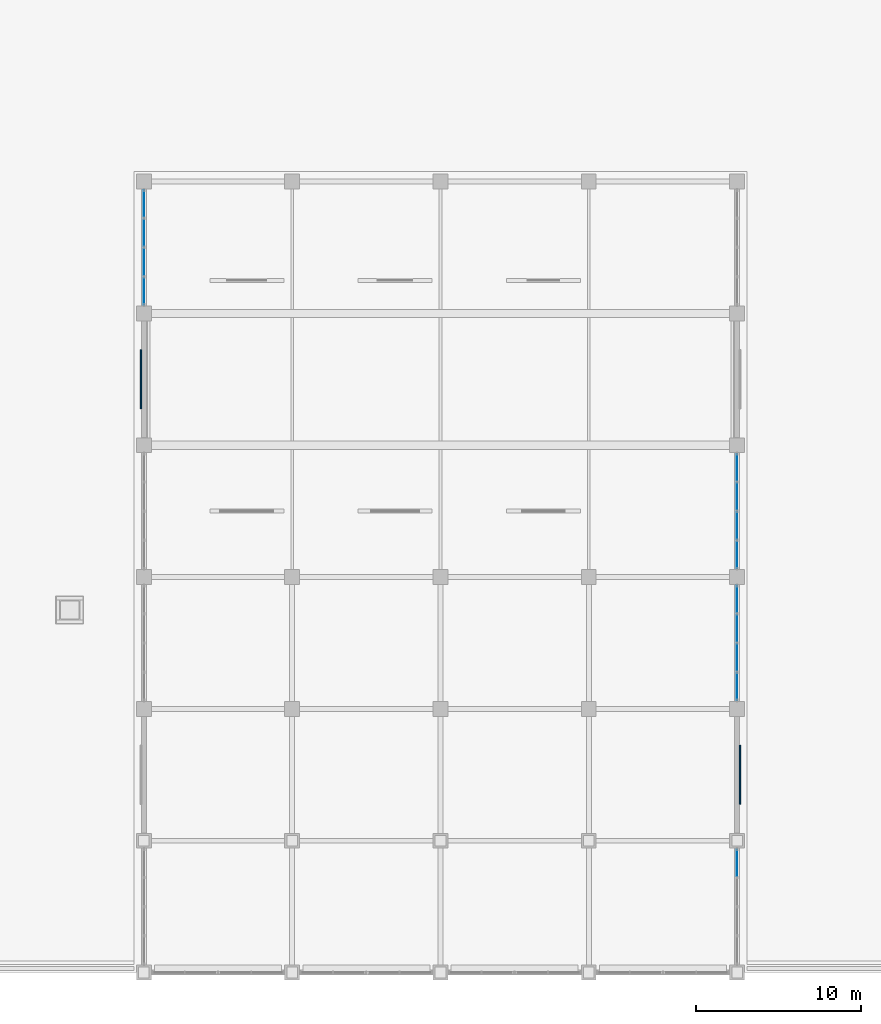
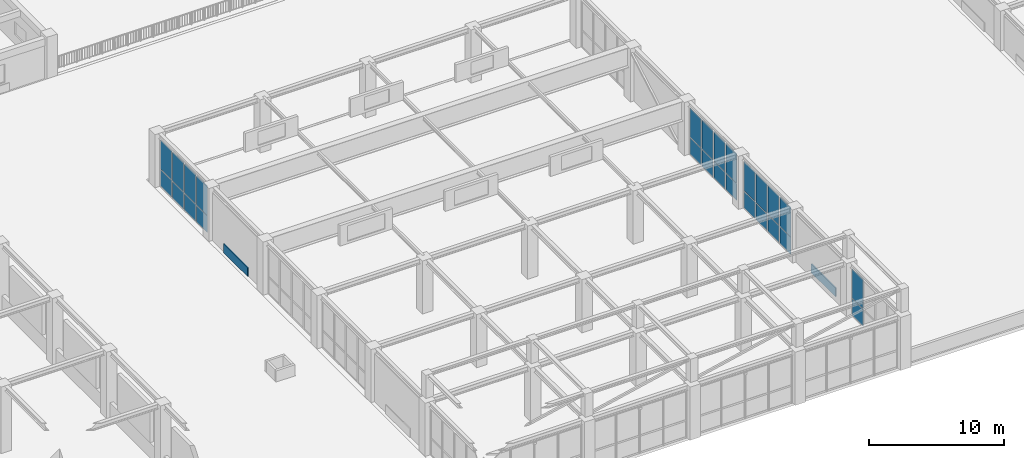
# One storey, part 14 of 34: 28 plates, 4 elements without a shape of their own.
"""IFC4 building model written with IfcOpenShell, lengths in metres."""

from ifc_helpers import new_model, si_unit, direction, frame, frame_2d, origin, place, context, subcontext, project, spatial, rectangle, extrude, material, layer, layer_set, type_object, element, aggregate, save


model = new_model("IFC4")

# Units and contexts
model_context = context("Model", 3, precision=1e-05, world=origin(), true_north=direction((0.0, 1.0)))
body_context = subcontext(model_context, "Body", "Model", "MODEL_VIEW")
ifc_project = project(units=[si_unit("LENGTHUNIT", "METRE"), si_unit("AREAUNIT", "SQUARE_METRE"), si_unit("VOLUMEUNIT", "CUBIC_METRE"), si_unit("PLANEANGLEUNIT", "RADIAN"), si_unit("MASSUNIT", "GRAM", prefix="KILO")], contexts=[model_context])

# Site, building, storey
site_placement = place(None, origin())
site = spatial("IfcSite", under=ifc_project, at=site_placement, CompositionType="ELEMENT")
building_placement = place(site_placement, origin())
building = spatial("IfcBuilding", under=site, at=building_placement, Name="Zaverband Oceanarium and Marine Research Institute", CompositionType="ELEMENT")
storey_placement = place(building_placement, frame((0.0, 0.0, 18.0)))
storey = spatial("IfcBuildingStorey", under=building, at=storey_placement, Name="L04", CompositionType="ELEMENT", Elevation=18.0)

# Curtain wall, plates
ifc_material_1 = material(Name="Thermally broken anodized aluminium and solar-control glass", Category="aluminium")
curtain_wall_type = type_object("IfcCurtainWallType", Name="CW-UNIT-1800", PredefinedType="NOTDEFINED", material=ifc_material_1)
curtain_wall_1_placement = place(storey_placement, origin())
curtain_wall_1 = element("IfcCurtainWall", 1, at=curtain_wall_1_placement, inside=storey, type_object=curtain_wall_type, Name="Unitised glazed curtain wall CW-190", PredefinedType="NOTDEFINED")
ifc_material_2 = material(Name="Low-E double-glazed solar-control glass", Category="glass")
ifc_layer_1 = layer(ifc_material_2, 0.033935546875, Name="Low-E double-glazed solar-control glass")
ifc_layer_set_1 = layer_set([ifc_layer_1], Name="Low-E double-glazed solar-control glass")
plate_type_1 = type_object("IfcPlateType", Name="CWP-1610x1505", PredefinedType="CURTAIN_PANEL", material=ifc_layer_set_1)
plate_1_placement = place(storey_placement, frame((72.0, 40.5400390625, 0.050048828125), z_axis=(0.0, 0.0, 1.0), x_axis=(0.0, 1.0, 0.0)))
plate_1 = element("IfcPlate", 2, at=plate_1_placement, type_object=plate_type_1, Name="Glazed curtain wall panel CWP-1610x1505", PredefinedType="CURTAIN_PANEL", context=body_context, shape_type="SweptSolid", body=[
    extrude(rectangle(XDim=1.60986328125, YDim=0.033935546875, at=frame_2d((0.804931640625, 0.0))), origin(), (0.0, 0.0, 1.0), 1.5048828125),
])
plate_2_placement = place(storey_placement, frame((72.0, 42.31005859375, 0.050048828125), z_axis=(0.0, 0.0, 1.0), x_axis=(0.0, 1.0, 0.0)))
plate_2 = element("IfcPlate", 3, at=plate_2_placement, type_object=plate_type_1, Name="Glazed curtain wall panel CWP-1610x1505", PredefinedType="CURTAIN_PANEL", context=body_context, shape_type="SweptSolid", body=[
    extrude(rectangle(XDim=1.60986328125, YDim=0.033935546875, at=frame_2d((0.804931640625, 0.0))), origin(), (0.0, 0.0, 1.0), 1.5048828125),
])
plate_3_placement = place(storey_placement, frame((72.0, 44.080078125, 0.050048828125), z_axis=(0.0, 0.0, 1.0), x_axis=(0.0, 1.0, 0.0)))
plate_3 = element("IfcPlate", 4, at=plate_3_placement, type_object=plate_type_1, Name="Glazed curtain wall panel CWP-1610x1505", PredefinedType="CURTAIN_PANEL", context=body_context, shape_type="SweptSolid", body=[
    extrude(rectangle(XDim=1.60986328125, YDim=0.033935546875, at=frame_2d((0.804931640625, 0.0))), origin(), (0.0, 0.0, 1.0), 1.5048828125),
])
plate_4_placement = place(storey_placement, frame((72.0, 45.85009765625, 0.050048828125), z_axis=(0.0, 0.0, 1.0), x_axis=(0.0, 1.0, 0.0)))
plate_4 = element("IfcPlate", 5, at=plate_4_placement, type_object=plate_type_1, Name="Glazed curtain wall panel CWP-1610x1505", PredefinedType="CURTAIN_PANEL", context=body_context, shape_type="SweptSolid", body=[
    extrude(rectangle(XDim=1.60986328125, YDim=0.033935546875, at=frame_2d((0.804931640625, 0.0))), origin(), (0.0, 0.0, 1.0), 1.5048828125),
])

# Curtain wall, plate
curtain_wall_2_placement = place(storey_placement, origin())
curtain_wall_2 = element("IfcCurtainWall", 6, at=curtain_wall_2_placement, inside=storey, type_object=curtain_wall_type, Name="Unitised glazed curtain wall CW-191", PredefinedType="NOTDEFINED")
plate_5_placement = place(storey_placement, frame((108.0, 5.85009765625, 0.050048828125), z_axis=(0.0, 0.0, 1.0), x_axis=(0.0, 1.0, 0.0)))
plate_5 = element("IfcPlate", 7, at=plate_5_placement, type_object=plate_type_1, Name="Glazed curtain wall panel CWP-1610x1505", PredefinedType="CURTAIN_PANEL", context=body_context, shape_type="SweptSolid", body=[
    extrude(rectangle(XDim=1.60986328125, YDim=0.033935546875, at=frame_2d((0.804931640625, 0.0))), origin(), (0.0, 0.0, 1.0), 1.5048828125),
])

# Curtain wall, plates
curtain_wall_3_placement = place(storey_placement, origin())
curtain_wall_3 = element("IfcCurtainWall", 8, at=curtain_wall_3_placement, inside=storey, type_object=curtain_wall_type, Name="Unitised glazed curtain wall CW-192", PredefinedType="NOTDEFINED")
plate_6_placement = place(storey_placement, frame((108.0, 16.5400390625, 0.050048828125), z_axis=(0.0, 0.0, 1.0), x_axis=(0.0, 1.0, 0.0)))
plate_6 = element("IfcPlate", 9, at=plate_6_placement, type_object=plate_type_1, Name="Glazed curtain wall panel CWP-1610x1505", PredefinedType="CURTAIN_PANEL", context=body_context, shape_type="SweptSolid", body=[
    extrude(rectangle(XDim=1.60986328125, YDim=0.033935546875, at=frame_2d((0.804931640625, 0.0))), origin(), (0.0, 0.0, 1.0), 1.5048828125),
])
plate_7_placement = place(storey_placement, frame((108.0, 18.31005859375, 0.050048828125), z_axis=(0.0, 0.0, 1.0), x_axis=(0.0, 1.0, 0.0)))
plate_7 = element("IfcPlate", 10, at=plate_7_placement, type_object=plate_type_1, Name="Glazed curtain wall panel CWP-1610x1505", PredefinedType="CURTAIN_PANEL", context=body_context, shape_type="SweptSolid", body=[
    extrude(rectangle(XDim=1.60986328125, YDim=0.033935546875, at=frame_2d((0.804931640625, 0.0))), origin(), (0.0, 0.0, 1.0), 1.5048828125),
])
plate_8_placement = place(storey_placement, frame((108.0, 20.080078125, 0.050048828125), z_axis=(0.0, 0.0, 1.0), x_axis=(0.0, 1.0, 0.0)))
plate_8 = element("IfcPlate", 11, at=plate_8_placement, type_object=plate_type_1, Name="Glazed curtain wall panel CWP-1610x1505", PredefinedType="CURTAIN_PANEL", context=body_context, shape_type="SweptSolid", body=[
    extrude(rectangle(XDim=1.60986328125, YDim=0.033935546875, at=frame_2d((0.804931640625, 0.0))), origin(), (0.0, 0.0, 1.0), 1.5048828125),
])
plate_9_placement = place(storey_placement, frame((108.0, 21.85009765625, 0.050048828125), z_axis=(0.0, 0.0, 1.0), x_axis=(0.0, 1.0, 0.0)))
plate_9 = element("IfcPlate", 12, at=plate_9_placement, type_object=plate_type_1, Name="Glazed curtain wall panel CWP-1610x1505", PredefinedType="CURTAIN_PANEL", context=body_context, shape_type="SweptSolid", body=[
    extrude(rectangle(XDim=1.60986328125, YDim=0.033935546875, at=frame_2d((0.804931640625, 0.0))), origin(), (0.0, 0.0, 1.0), 1.5048828125),
])

curtain_wall_4_placement = place(storey_placement, origin())
curtain_wall_4 = element("IfcCurtainWall", 13, at=curtain_wall_4_placement, inside=storey, type_object=curtain_wall_type, Name="Unitised glazed curtain wall CW-193", PredefinedType="NOTDEFINED")
plate_10_placement = place(storey_placement, frame((108.0, 24.5400390625, 0.050048828125), z_axis=(0.0, 0.0, 1.0), x_axis=(0.0, 1.0, 0.0)))
plate_10 = element("IfcPlate", 14, at=plate_10_placement, type_object=plate_type_1, Name="Glazed curtain wall panel CWP-1610x1505", PredefinedType="CURTAIN_PANEL", context=body_context, shape_type="SweptSolid", body=[
    extrude(rectangle(XDim=1.60986328125, YDim=0.033935546875, at=frame_2d((0.804931640625, 0.0))), origin(), (0.0, 0.0, 1.0), 1.5048828125),
])
plate_11_placement = place(storey_placement, frame((108.0, 26.31005859375, 0.050048828125), z_axis=(0.0, 0.0, 1.0), x_axis=(0.0, 1.0, 0.0)))
plate_11 = element("IfcPlate", 15, at=plate_11_placement, type_object=plate_type_1, Name="Glazed curtain wall panel CWP-1610x1505", PredefinedType="CURTAIN_PANEL", context=body_context, shape_type="SweptSolid", body=[
    extrude(rectangle(XDim=1.60986328125, YDim=0.033935546875, at=frame_2d((0.804931640625, 0.0))), origin(), (0.0, 0.0, 1.0), 1.5048828125),
])
plate_12_placement = place(storey_placement, frame((108.0, 28.080078125, 0.050048828125), z_axis=(0.0, 0.0, 1.0), x_axis=(0.0, 1.0, 0.0)))
plate_12 = element("IfcPlate", 16, at=plate_12_placement, type_object=plate_type_1, Name="Glazed curtain wall panel CWP-1610x1505", PredefinedType="CURTAIN_PANEL", context=body_context, shape_type="SweptSolid", body=[
    extrude(rectangle(XDim=1.60986328125, YDim=0.033935546875, at=frame_2d((0.804931640625, 0.0))), origin(), (0.0, 0.0, 1.0), 1.5048828125),
])
plate_13_placement = place(storey_placement, frame((108.0, 29.85009765625, 0.050048828125), z_axis=(0.0, 0.0, 1.0), x_axis=(0.0, 1.0, 0.0)))
plate_13 = element("IfcPlate", 17, at=plate_13_placement, type_object=plate_type_1, Name="Glazed curtain wall panel CWP-1610x1505", PredefinedType="CURTAIN_PANEL", context=body_context, shape_type="SweptSolid", body=[
    extrude(rectangle(XDim=1.60986328125, YDim=0.033935546875, at=frame_2d((0.804931640625, 0.0))), origin(), (0.0, 0.0, 1.0), 1.5048828125),
])

# Plate
ifc_layer_2 = layer(ifc_material_2, 0.035888671875, Name="Low-E double-glazed solar-control glass")
ifc_layer_set_2 = layer_set([ifc_layer_2], Name="Low-E double-glazed solar-control glass")
plate_type_2 = type_object("IfcPlateType", Name="CWP-1610x2635", PredefinedType="CURTAIN_PANEL", material=ifc_layer_set_2)
plate_14_placement = place(storey_placement, frame((72.0, 40.5400390625, 1.625), z_axis=(0.0, 0.0, 1.0), x_axis=(0.0, 1.0, 0.0)))
plate_14 = element("IfcPlate", 18, at=plate_14_placement, type_object=plate_type_2, Name="Glazed curtain wall panel CWP-1610x2635", PredefinedType="CURTAIN_PANEL", context=body_context, shape_type="SweptSolid", body=[
    extrude(rectangle(XDim=1.60986328125, YDim=0.035888671875, at=frame_2d((0.804931640625, 0.0))), origin(), (0.0, 0.0, 1.0), 2.635009765625),
])

plate_15_placement = place(storey_placement, frame((72.0, 42.31005859375, 1.625), z_axis=(0.0, 0.0, 1.0), x_axis=(0.0, 1.0, 0.0)))
plate_15 = element("IfcPlate", 19, at=plate_15_placement, type_object=plate_type_2, Name="Glazed curtain wall panel CWP-1610x2635", PredefinedType="CURTAIN_PANEL", context=body_context, shape_type="SweptSolid", body=[
    extrude(rectangle(XDim=1.60986328125, YDim=0.035888671875, at=frame_2d((0.804931640625, 0.0))), origin(), (0.0, 0.0, 1.0), 2.635009765625),
])

plate_16_placement = place(storey_placement, frame((72.0, 44.080078125, 1.625), z_axis=(0.0, 0.0, 1.0), x_axis=(0.0, 1.0, 0.0)))
plate_16 = element("IfcPlate", 20, at=plate_16_placement, type_object=plate_type_2, Name="Glazed curtain wall panel CWP-1610x2635", PredefinedType="CURTAIN_PANEL", context=body_context, shape_type="SweptSolid", body=[
    extrude(rectangle(XDim=1.60986328125, YDim=0.035888671875, at=frame_2d((0.804931640625, 0.0))), origin(), (0.0, 0.0, 1.0), 2.635009765625),
])

plate_17_placement = place(storey_placement, frame((72.0, 45.85009765625, 1.625), z_axis=(0.0, 0.0, 1.0), x_axis=(0.0, 1.0, 0.0)))
plate_17 = element("IfcPlate", 21, at=plate_17_placement, type_object=plate_type_2, Name="Glazed curtain wall panel CWP-1610x2635", PredefinedType="CURTAIN_PANEL", context=body_context, shape_type="SweptSolid", body=[
    extrude(rectangle(XDim=1.60986328125, YDim=0.035888671875, at=frame_2d((0.804931640625, 0.0))), origin(), (0.0, 0.0, 1.0), 2.635009765625),
])

aggregate(curtain_wall_1, [plate_1, plate_14, plate_2, plate_15, plate_3, plate_16, plate_4, plate_17])

plate_18_placement = place(storey_placement, frame((108.0, 5.85009765625, 1.625), z_axis=(0.0, 0.0, 1.0), x_axis=(0.0, 1.0, 0.0)))
plate_18 = element("IfcPlate", 22, at=plate_18_placement, type_object=plate_type_2, Name="Glazed curtain wall panel CWP-1610x2635", PredefinedType="CURTAIN_PANEL", context=body_context, shape_type="SweptSolid", body=[
    extrude(rectangle(XDim=1.60986328125, YDim=0.035888671875, at=frame_2d((0.804931640625, 0.0))), origin(), (0.0, 0.0, 1.0), 2.635009765625),
])

aggregate(curtain_wall_2, [plate_5, plate_18])

plate_19_placement = place(storey_placement, frame((108.0, 16.5400390625, 1.625), z_axis=(0.0, 0.0, 1.0), x_axis=(0.0, 1.0, 0.0)))
plate_19 = element("IfcPlate", 23, at=plate_19_placement, type_object=plate_type_2, Name="Glazed curtain wall panel CWP-1610x2635", PredefinedType="CURTAIN_PANEL", context=body_context, shape_type="SweptSolid", body=[
    extrude(rectangle(XDim=1.60986328125, YDim=0.035888671875, at=frame_2d((0.804931640625, 0.0))), origin(), (0.0, 0.0, 1.0), 2.635009765625),
])

plate_20_placement = place(storey_placement, frame((108.0, 18.31005859375, 1.625), z_axis=(0.0, 0.0, 1.0), x_axis=(0.0, 1.0, 0.0)))
plate_20 = element("IfcPlate", 24, at=plate_20_placement, type_object=plate_type_2, Name="Glazed curtain wall panel CWP-1610x2635", PredefinedType="CURTAIN_PANEL", context=body_context, shape_type="SweptSolid", body=[
    extrude(rectangle(XDim=1.60986328125, YDim=0.035888671875, at=frame_2d((0.804931640625, 0.0))), origin(), (0.0, 0.0, 1.0), 2.635009765625),
])

plate_21_placement = place(storey_placement, frame((108.0, 20.080078125, 1.625), z_axis=(0.0, 0.0, 1.0), x_axis=(0.0, 1.0, 0.0)))
plate_21 = element("IfcPlate", 25, at=plate_21_placement, type_object=plate_type_2, Name="Glazed curtain wall panel CWP-1610x2635", PredefinedType="CURTAIN_PANEL", context=body_context, shape_type="SweptSolid", body=[
    extrude(rectangle(XDim=1.60986328125, YDim=0.035888671875, at=frame_2d((0.804931640625, 0.0))), origin(), (0.0, 0.0, 1.0), 2.635009765625),
])

plate_22_placement = place(storey_placement, frame((108.0, 21.85009765625, 1.625), z_axis=(0.0, 0.0, 1.0), x_axis=(0.0, 1.0, 0.0)))
plate_22 = element("IfcPlate", 26, at=plate_22_placement, type_object=plate_type_2, Name="Glazed curtain wall panel CWP-1610x2635", PredefinedType="CURTAIN_PANEL", context=body_context, shape_type="SweptSolid", body=[
    extrude(rectangle(XDim=1.60986328125, YDim=0.035888671875, at=frame_2d((0.804931640625, 0.0))), origin(), (0.0, 0.0, 1.0), 2.635009765625),
])

aggregate(curtain_wall_3, [plate_6, plate_19, plate_7, plate_20, plate_8, plate_21, plate_9, plate_22])

plate_23_placement = place(storey_placement, frame((108.0, 24.5400390625, 1.625), z_axis=(0.0, 0.0, 1.0), x_axis=(0.0, 1.0, 0.0)))
plate_23 = element("IfcPlate", 27, at=plate_23_placement, type_object=plate_type_2, Name="Glazed curtain wall panel CWP-1610x2635", PredefinedType="CURTAIN_PANEL", context=body_context, shape_type="SweptSolid", body=[
    extrude(rectangle(XDim=1.60986328125, YDim=0.035888671875, at=frame_2d((0.804931640625, 0.0))), origin(), (0.0, 0.0, 1.0), 2.635009765625),
])

plate_24_placement = place(storey_placement, frame((108.0, 26.31005859375, 1.625), z_axis=(0.0, 0.0, 1.0), x_axis=(0.0, 1.0, 0.0)))
plate_24 = element("IfcPlate", 28, at=plate_24_placement, type_object=plate_type_2, Name="Glazed curtain wall panel CWP-1610x2635", PredefinedType="CURTAIN_PANEL", context=body_context, shape_type="SweptSolid", body=[
    extrude(rectangle(XDim=1.60986328125, YDim=0.035888671875, at=frame_2d((0.804931640625, 0.0))), origin(), (0.0, 0.0, 1.0), 2.635009765625),
])

plate_25_placement = place(storey_placement, frame((108.0, 28.080078125, 1.625), z_axis=(0.0, 0.0, 1.0), x_axis=(0.0, 1.0, 0.0)))
plate_25 = element("IfcPlate", 29, at=plate_25_placement, type_object=plate_type_2, Name="Glazed curtain wall panel CWP-1610x2635", PredefinedType="CURTAIN_PANEL", context=body_context, shape_type="SweptSolid", body=[
    extrude(rectangle(XDim=1.60986328125, YDim=0.035888671875, at=frame_2d((0.804931640625, 0.0))), origin(), (0.0, 0.0, 1.0), 2.635009765625),
])

plate_26_placement = place(storey_placement, frame((108.0, 29.85009765625, 1.625), z_axis=(0.0, 0.0, 1.0), x_axis=(0.0, 1.0, 0.0)))
plate_26 = element("IfcPlate", 30, at=plate_26_placement, type_object=plate_type_2, Name="Glazed curtain wall panel CWP-1610x2635", PredefinedType="CURTAIN_PANEL", context=body_context, shape_type="SweptSolid", body=[
    extrude(rectangle(XDim=1.60986328125, YDim=0.035888671875, at=frame_2d((0.804931640625, 0.0))), origin(), (0.0, 0.0, 1.0), 2.635009765625),
])

aggregate(curtain_wall_4, [plate_10, plate_23, plate_11, plate_24, plate_12, plate_25, plate_13, plate_26])

# Plates
ifc_material_3 = material(Name="Concrete C40/50 precast ochre", Category="concrete")
ifc_layer_3 = layer(ifc_material_3, 0.0849609375, Name="Concrete C40/50 precast ochre")
ifc_layer_set_3 = layer_set([ifc_layer_3], Name="Concrete C40/50 precast ochre")
plate_type_3 = type_object("IfcPlateType", Name="FRP-3600x800", PredefinedType="USERDEFINED", material=ifc_layer_set_3)
for number, where, z_axis, x_axis, name in (
    (31, (71.8173828125, 34.199951171875, 0.0), (0.0, 0.0, 1.0), (0.0, 1.0, 0.0), "Geometric precast facade cladding panel FRP-3600x800"),
    (32, (108.1826171875, 10.199951171875, 0.0), (0.0, 0.0, 1.0), (0.0, 1.0, 0.0), "Geometric precast facade cladding panel FRP-3600x800"),
):
    element("IfcPlate", number, at=place(storey_placement, frame(where, z_axis=z_axis, x_axis=x_axis)), inside=storey, type_object=plate_type_3, Name=name, ObjectType="FLANGE_PLATE", PredefinedType="USERDEFINED", context=body_context, shape_type="SweptSolid", body=[
        extrude(rectangle(XDim=3.60009765625, YDim=0.0849609375, at=frame_2d((1.800048828125, 0.0))), origin(), (0.0, 0.0, 1.0), 0.800048828125),
    ])

save(model, "model.ifc")
